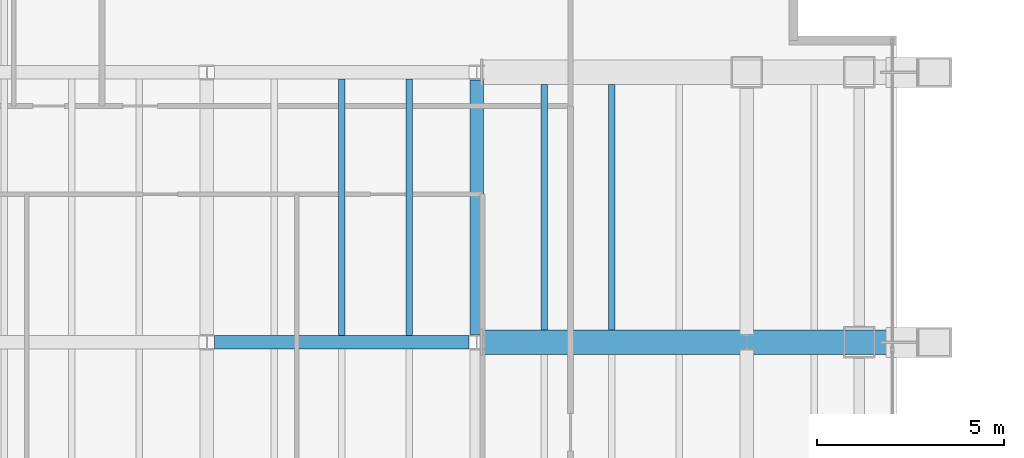
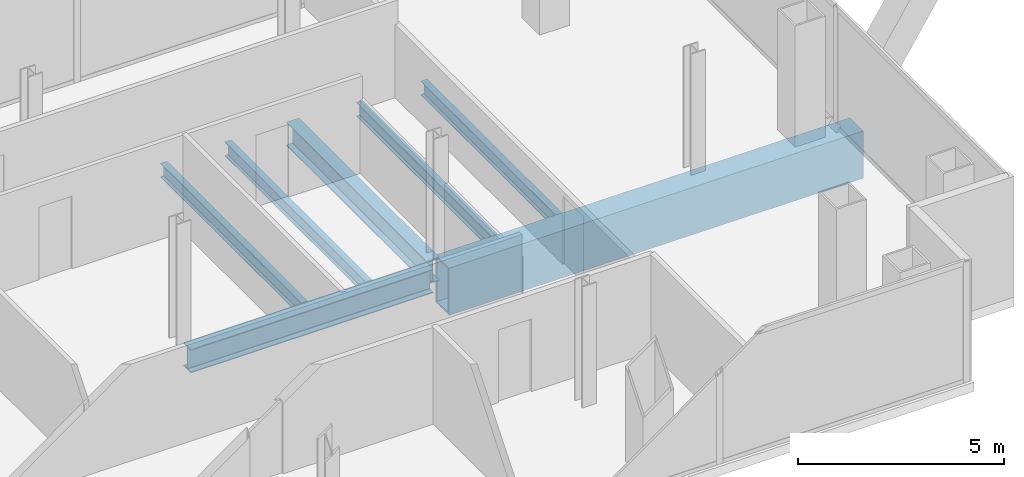
# One storey, part 12 of 23: 7 beams.
"""IFC4 building model written with IfcOpenShell, lengths in metres."""

from ifc_helpers import new_model, si_unit, direction, frame, origin, origin_2d, place, context, subcontext, project, spatial, hollow_rectangle, i_section, extrude, material, material_profile, profile_set, type_object, element, save


model = new_model("IFC4")

# Units and contexts
model_context = context("Model", 3, precision=1e-05, world=origin(), true_north=direction((0.0, 1.0)))
body_context = subcontext(model_context, "Body", "Model", "MODEL_VIEW")
ifc_project = project(units=[si_unit("LENGTHUNIT", "METRE"), si_unit("AREAUNIT", "SQUARE_METRE"), si_unit("VOLUMEUNIT", "CUBIC_METRE"), si_unit("PLANEANGLEUNIT", "RADIAN"), si_unit("MASSUNIT", "GRAM", prefix="KILO")], contexts=[model_context])

# Site, building, storey
site_placement = place(None, origin())
site = spatial("IfcSite", under=ifc_project, at=site_placement, CompositionType="ELEMENT")
building_placement = place(site_placement, origin())
building = spatial("IfcBuilding", under=site, at=building_placement, Name="Cobrela Telecom Tower", CompositionType="ELEMENT")
storey_placement = place(building_placement, frame((0.0, 0.0, 156.10009765625)))
storey = spatial("IfcBuildingStorey", under=building, at=storey_placement, Name="L39", CompositionType="ELEMENT", Elevation=156.10009765625)

# Beams
ifc_material_1 = material(Name="Steel ASTM A992 Grade 50", Category="steel")
ifc_material_profile_1 = material_profile(ifc_material_1, i_section(OverallWidth=0.35595703125, OverallDepth=0.696044921875, WebThickness=0.015380859375, FlangeThickness=0.024658203125, FilletRadius=0.01806640625, at=origin_2d()), Name="W27X146")
ifc_profile_set_1 = profile_set([ifc_material_profile_1], Name="Steel ASTM A992 Grade 50")
beam_type_1 = type_object("IfcBeamType", Name="BM-GIRD-05", PredefinedType="USERDEFINED", material=ifc_profile_set_1)
for number, where, z_axis, x_axis, name in (
    (1, (29.00439453125, 14.39990234375, -0.6181640625), (1.0, 0.0, 0.0), (0.0, 1.0, 0.0), "L39 Primary Girder X15"),
    (2, (36.0, 14.6044921875, -0.6181640625), (0.0, 1.0, 0.0), (-1.0, 0.0, 0.0), "L39 Primary Girder Y47"),
):
    element("IfcBeam", number, at=place(storey_placement, frame(where, z_axis=z_axis, x_axis=x_axis)), inside=storey, type_object=beam_type_1, Name=name, ObjectType="GIRDER", PredefinedType="USERDEFINED", context=body_context, shape_type="SweptSolid", body=[
        extrude(i_section(OverallWidth=0.35595703125, OverallDepth=0.696044921875, WebThickness=0.015380859375, FlangeThickness=0.024658203125, FilletRadius=0.01806640625, at=origin_2d()), origin(), (0.0, 0.0, 1.0), 6.791015625),
    ])
ifc_material_profile_2 = material_profile(ifc_material_1, i_section(OverallWidth=0.179931640625, OverallDepth=0.4169921875, WebThickness=0.010986328125, FlangeThickness=0.01806640625, FilletRadius=0.011962890625, at=origin_2d()), Name="W16X57")
ifc_profile_set_2 = profile_set([ifc_material_profile_2], Name="Steel ASTM A992 Grade 50")
beam_type_2 = type_object("IfcBeamType", Name="BM-JOIST-04", PredefinedType="JOIST", material=ifc_profile_set_2)
for number, where, z_axis, x_axis, name in (
    (3, (32.39990234375, 14.5830078125, -0.478515625), (0.0, 1.0, 0.0), (-1.0, 0.0, 0.0), "L39 Secondary Composite Floor Beam J30"),
    (4, (34.199951171875, 14.5830078125, -0.478515625), (0.0, 1.0, 0.0), (-1.0, 0.0, 0.0), "L39 Secondary Composite Floor Beam J32"),
):
    element("IfcBeam", number, at=place(storey_placement, frame(where, z_axis=z_axis, x_axis=x_axis)), inside=storey, type_object=beam_type_2, Name=name, PredefinedType="JOIST", context=body_context, shape_type="SweptSolid", body=[
        extrude(i_section(OverallWidth=0.179931640625, OverallDepth=0.4169921875, WebThickness=0.010986328125, FlangeThickness=0.01806640625, FilletRadius=0.011962890625, at=origin_2d()), origin(), (0.0, 0.0, 1.0), 6.833984375),
    ])
for number, where, z_axis, x_axis, name in (
    (5, (37.800048828125, 14.72998046875, -0.478515625), (0.0, 1.0, 0.0), (-1.0, 0.0, 0.0), "L39 Secondary Composite Floor Beam J34"),
    (6, (39.60009765625, 14.72998046875, -0.478515625), (0.0, 1.0, 0.0), (-1.0, 0.0, 0.0), "L39 Secondary Composite Floor Beam J36"),
):
    element("IfcBeam", number, at=place(storey_placement, frame(where, z_axis=z_axis, x_axis=x_axis)), inside=storey, type_object=beam_type_2, Name=name, PredefinedType="JOIST", context=body_context, shape_type="SweptSolid", body=[
        extrude(i_section(OverallWidth=0.179931640625, OverallDepth=0.4169921875, WebThickness=0.010986328125, FlangeThickness=0.01806640625, FilletRadius=0.011962890625, at=origin_2d()), origin(), (0.0, 0.0, 1.0), 6.5400390625),
    ])
ifc_material_2 = material(Name="Steel ASTM A572 Grade 50", Category="steel")
ifc_material_profile_3 = material_profile(ifc_material_2, hollow_rectangle(XDim=0.64990234375, YDim=1.39990234375, WallThickness=0.054931640625, at=origin_2d()), Name="BOX 1400x650x55")
ifc_profile_set_3 = profile_set([ifc_material_profile_3], Name="Steel ASTM A572 Grade 50")
beam_type_3 = type_object("IfcBeamType", Name="BM-TRG-1400", PredefinedType="USERDEFINED", material=ifc_profile_set_3)
beam_placement = place(storey_placement, frame((36.14990234375, 14.39990234375, -0.97021484375), z_axis=(1.0, 0.0, 0.0), x_axis=(0.0, 1.0, 0.0)))
element("IfcBeam", 7, at=beam_placement, inside=storey, type_object=beam_type_3, Name="L39 Sky Pool Mega-Strut Footing Transfer Beam 1", ObjectType="GIRDER", PredefinedType="USERDEFINED", context=body_context, shape_type="SweptSolid", body=[
    extrude(hollow_rectangle(XDim=0.64990234375, YDim=1.39990234375, WallThickness=0.054931640625, at=origin_2d()), origin(), (0.0, 0.0, 1.0), 11.60009765625),
])

save(model, "model.ifc")
